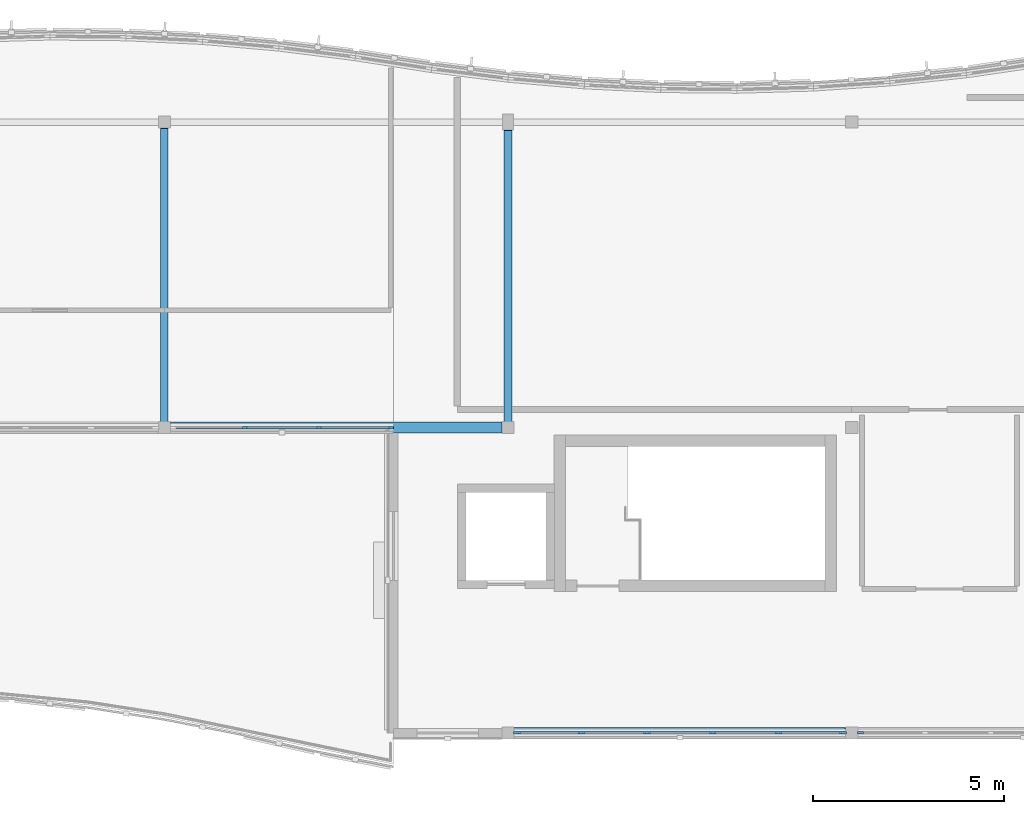
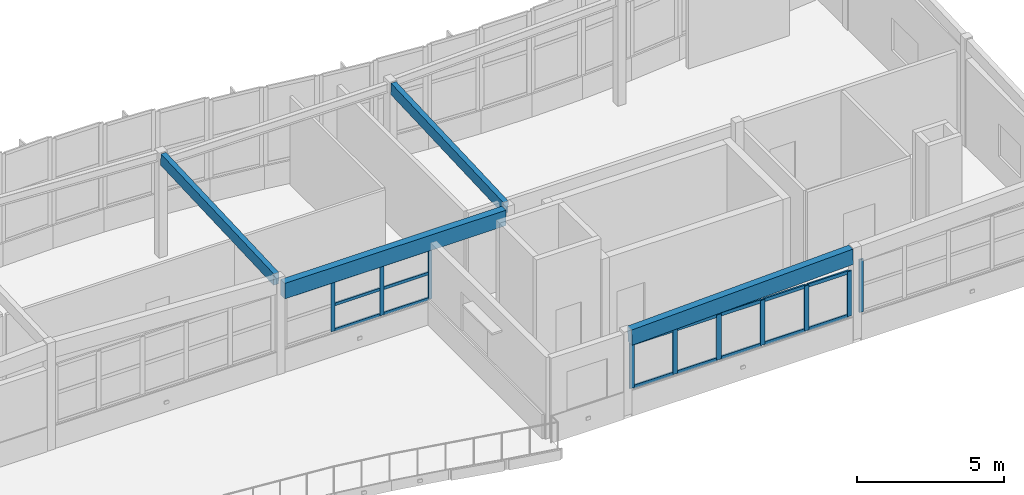
# One storey, part 6 of 20: 27 members, 4 beams, 3 elements without a shape of their own.
"""IFC4 building model written with IfcOpenShell, lengths in metres."""

from ifc_helpers import new_model, si_unit, direction, frame, origin, origin_2d, place, context, subcontext, project, spatial, rectangle, extrude, material, layer, layer_set, material_profile, profile_set, type_object, element, aggregate, save


model = new_model("IFC4")

# Units and contexts
model_context = context("Model", 3, precision=1e-05, world=origin(), true_north=direction((0.0, 1.0)))
body_context = subcontext(model_context, "Body", "Model", "MODEL_VIEW")
ifc_project = project(units=[si_unit("LENGTHUNIT", "METRE"), si_unit("AREAUNIT", "SQUARE_METRE"), si_unit("VOLUMEUNIT", "CUBIC_METRE"), si_unit("PLANEANGLEUNIT", "RADIAN"), si_unit("MASSUNIT", "GRAM", prefix="KILO")], contexts=[model_context])

# Site, building, storey
site_placement = place(None, origin())
site = spatial("IfcSite", under=ifc_project, at=site_placement, CompositionType="ELEMENT")
building_placement = place(site_placement, origin())
building = spatial("IfcBuilding", under=site, at=building_placement, Name="Tonlespit Floodbar School", CompositionType="ELEMENT")
storey_placement = place(building_placement, frame((0.0, 0.0, 20.10009765625)))
storey = spatial("IfcBuildingStorey", under=building, at=storey_placement, Name="L05", CompositionType="ELEMENT", Elevation=20.10009765625)

# Beams
ifc_material_1 = material(Name="Glulam GL28h", Category="wood")
ifc_material_profile_1 = material_profile(ifc_material_1, rectangle(XDim=0.199951171875, YDim=0.47998046875, at=origin_2d()), Name="GL 200x480")
ifc_profile_set_1 = profile_set([ifc_material_profile_1], Name="Glulam GL28h")
beam_type_1 = type_object("IfcBeamType", Name="Beam_GL_200x480", PredefinedType="BEAM", material=ifc_profile_set_1)
beam_1_placement = place(storey_placement, frame((89.0, 112.159912109375, 3.74951171875), z_axis=(0.0, 0.999069533259, 0.043128502326), x_axis=(-1.0, 0.0, 0.0)))
element("IfcBeam", 1, at=beam_1_placement, inside=storey, type_object=beam_type_1, Name="L05 girder 1357", PredefinedType="BEAM", context=body_context, shape_type="SweptSolid", body=[
    extrude(rectangle(XDim=0.199951171875, YDim=0.47998046875, at=origin_2d()), origin(), (0.0, 0.0, 1.0), 7.687255859375),
])
beam_2_placement = place(storey_placement, frame((98.0, 112.159912109375, 3.563720703125), z_axis=(0.0, 0.999069740442, 0.04312370268), x_axis=(-1.0, 0.0, 0.0)))
element("IfcBeam", 2, at=beam_2_placement, inside=storey, type_object=beam_type_1, Name="L05 girder 1358", PredefinedType="BEAM", context=body_context, shape_type="SweptSolid", body=[
    extrude(rectangle(XDim=0.199951171875, YDim=0.47998046875, at=origin_2d()), origin(), (0.0, 0.0, 1.0), 7.63720703125),
])
ifc_material_profile_2 = material_profile(ifc_material_1, rectangle(XDim=0.280029296875, YDim=0.639892578125, at=origin_2d()), Name="GL 280x640")
ifc_profile_set_2 = profile_set([ifc_material_profile_2], Name="Glulam GL28h")
beam_type_2 = type_object("IfcBeamType", Name="Beam_GL_280x640", PredefinedType="BEAM", material=ifc_profile_set_2)
beam_3_placement = place(storey_placement, frame((98.159912109375, 104.0, 3.137451171875), z_axis=(0.999327061247, 0.0, 0.036680030796), x_axis=(0.0, 1.0, 0.0)))
element("IfcBeam", 3, at=beam_3_placement, inside=storey, type_object=beam_type_2, Name="L05 girder 1338", PredefinedType="BEAM", context=body_context, shape_type="SweptSolid", body=[
    extrude(rectangle(XDim=0.280029296875, YDim=0.639892578125, at=origin_2d()), origin(), (0.0, 0.0, 1.0), 8.68603515625),
])
beam_4_placement = place(storey_placement, frame((89.159912109375, 112.0, 3.36669921875), z_axis=(1.0, 0.0, 0.0), x_axis=(0.0, 1.0, 0.0)))
element("IfcBeam", 4, at=beam_4_placement, inside=storey, type_object=beam_type_2, Name="L05 girder 1343", PredefinedType="BEAM", context=body_context, shape_type="SweptSolid", body=[
    extrude(rectangle(XDim=0.280029296875, YDim=0.639892578125, at=origin_2d()), origin(), (0.0, 0.0, 1.0), 8.68017578125),
])

# Curtain wall, member
ifc_material_2 = material(Name="Anodised Aluminium", Category="aluminium")
ifc_layer_1 = layer(ifc_material_2, 0.159912109375)
ifc_layer_set_1 = layer_set([ifc_layer_1], Name="Anodised Aluminium")
curtain_wall_type_1 = type_object("IfcCurtainWallType", Name="CurtainWall_8600x2200", PredefinedType="NOTDEFINED", material=ifc_layer_set_1)
curtain_wall_1_placement = place(storey_placement, origin())
curtain_wall_1 = element("IfcCurtainWall", 5, at=curtain_wall_1_placement, inside=storey, type_object=curtain_wall_type_1, Name="L05 unitised curtain wall 0244", PredefinedType="NOTDEFINED")
ifc_material_profile_3 = material_profile(ifc_material_2, rectangle(XDim=0.06494140625, YDim=0.14990234375, at=origin_2d()), Name="ALU M65x150")
ifc_profile_set_3 = profile_set([ifc_material_profile_3], Name="Anodised Aluminium")
member_type_1 = type_object("IfcMemberType", Name="CW_Mullion_65x150", PredefinedType="MULLION", material=ifc_profile_set_3)
member_1_placement = place(storey_placement, frame((107.232421875, 104.0, 0.949951171875), z_axis=(0.0, 0.0, 1.0), x_axis=(0.0, -1.0, 0.0)))
member_1 = element("IfcMember", 6, at=member_1_placement, type_object=member_type_1, Name="CW-28 mullion 6", PredefinedType="MULLION", context=body_context, shape_type="SweptSolid", body=[
    extrude(rectangle(XDim=0.06494140625, YDim=0.14990234375, at=origin_2d()), origin(), (0.0, 0.0, 1.0), 2.19775390625),
])
aggregate(curtain_wall_1, [member_1])

# Curtain wall, members
ifc_layer_2 = layer(ifc_material_2, 0.159912109375)
ifc_layer_set_2 = layer_set([ifc_layer_2], Name="Anodised Aluminium")
curtain_wall_type_2 = type_object("IfcCurtainWallType", Name="CurtainWall_5750x2100", PredefinedType="NOTDEFINED", material=ifc_layer_set_2)
curtain_wall_2_placement = place(storey_placement, origin())
curtain_wall_2 = element("IfcCurtainWall", 7, at=curtain_wall_2_placement, inside=storey, type_object=curtain_wall_type_2, Name="L05 unitised curtain wall 0246", PredefinedType="NOTDEFINED")
member_2_placement = place(storey_placement, frame((94.927490234375, 112.0, 0.949951171875), z_axis=(0.0, 0.0, 1.0), x_axis=(0.0, -1.0, 0.0)))
member_2 = element("IfcMember", 8, at=member_2_placement, type_object=member_type_1, Name="CW-30 mullion 1", PredefinedType="MULLION", context=body_context, shape_type="SweptSolid", body=[
    extrude(rectangle(XDim=0.06494140625, YDim=0.14990234375, at=origin_2d()), origin(), (0.0, 0.0, 1.0), 2.0966796875),
])
member_3_placement = place(storey_placement, frame((93.0400390625, 112.0, 0.949951171875), z_axis=(0.0, 0.0, 1.0), x_axis=(0.0, -1.0, 0.0)))
member_3 = element("IfcMember", 9, at=member_3_placement, type_object=member_type_1, Name="CW-30 mullion 2", PredefinedType="MULLION", context=body_context, shape_type="SweptSolid", body=[
    extrude(rectangle(XDim=0.06494140625, YDim=0.14990234375, at=origin_2d()), origin(), (0.0, 0.0, 1.0), 2.0966796875),
])
member_4_placement = place(storey_placement, frame((91.1201171875, 112.0, 0.949951171875), z_axis=(0.0, 0.0, 1.0), x_axis=(0.0, -1.0, 0.0)))
member_4 = element("IfcMember", 10, at=member_4_placement, type_object=member_type_1, Name="CW-30 mullion 3", PredefinedType="MULLION", context=body_context, shape_type="SweptSolid", body=[
    extrude(rectangle(XDim=0.06494140625, YDim=0.14990234375, at=origin_2d()), origin(), (0.0, 0.0, 1.0), 2.0966796875),
])

ifc_layer_3 = layer(ifc_material_2, 0.159912109375)
ifc_layer_set_3 = layer_set([ifc_layer_3], Name="Anodised Aluminium")
curtain_wall_type_3 = type_object("IfcCurtainWallType", Name="CurtainWall_8600x1850", PredefinedType="NOTDEFINED", material=ifc_layer_set_3)
curtain_wall_3_placement = place(storey_placement, origin())
curtain_wall_3 = element("IfcCurtainWall", 11, at=curtain_wall_3_placement, inside=storey, type_object=curtain_wall_type_3, Name="L05 unitised curtain wall 0245", PredefinedType="NOTDEFINED")
ifc_material_profile_4 = material_profile(ifc_material_2, rectangle(XDim=0.06494140625, YDim=0.179931640625, at=origin_2d()), Name="ALU M65x180")
ifc_profile_set_4 = profile_set([ifc_material_profile_4], Name="Anodised Aluminium")
member_type_2 = type_object("IfcMemberType", Name="CW_Mullion_65x180", PredefinedType="MULLION", material=ifc_profile_set_4)
member_5_placement = place(storey_placement, frame((106.767578125, 104.0, 0.949951171875), z_axis=(0.0, 0.0, 1.0), x_axis=(0.0, -1.0, 0.0)))
member_5 = element("IfcMember", 12, at=member_5_placement, type_object=member_type_2, Name="CW-29 mullion 1", PredefinedType="MULLION", context=body_context, shape_type="SweptSolid", body=[
    extrude(rectangle(XDim=0.06494140625, YDim=0.179931640625, at=origin_2d()), origin(), (0.0, 0.0, 1.0), 1.867431640625),
])
member_6_placement = place(storey_placement, frame((105.080078125, 104.0, 0.949951171875), z_axis=(0.0, 0.0, 1.0), x_axis=(0.0, -1.0, 0.0)))
member_6 = element("IfcMember", 13, at=member_6_placement, type_object=member_type_2, Name="CW-29 mullion 2", PredefinedType="MULLION", context=body_context, shape_type="SweptSolid", body=[
    extrude(rectangle(XDim=0.06494140625, YDim=0.179931640625, at=origin_2d()), origin(), (0.0, 0.0, 1.0), 1.867431640625),
])
member_7_placement = place(storey_placement, frame((103.360107421875, 104.0, 0.949951171875), z_axis=(0.0, 0.0, 1.0), x_axis=(0.0, -1.0, 0.0)))
member_7 = element("IfcMember", 14, at=member_7_placement, type_object=member_type_2, Name="CW-29 mullion 3", PredefinedType="MULLION", context=body_context, shape_type="SweptSolid", body=[
    extrude(rectangle(XDim=0.06494140625, YDim=0.179931640625, at=origin_2d()), origin(), (0.0, 0.0, 1.0), 1.867431640625),
])
member_8_placement = place(storey_placement, frame((101.639892578125, 104.0, 0.949951171875), z_axis=(0.0, 0.0, 1.0), x_axis=(0.0, -1.0, 0.0)))
member_8 = element("IfcMember", 15, at=member_8_placement, type_object=member_type_2, Name="CW-29 mullion 4", PredefinedType="MULLION", context=body_context, shape_type="SweptSolid", body=[
    extrude(rectangle(XDim=0.06494140625, YDim=0.179931640625, at=origin_2d()), origin(), (0.0, 0.0, 1.0), 1.867431640625),
])
member_9_placement = place(storey_placement, frame((99.919921875, 104.0, 0.949951171875), z_axis=(0.0, 0.0, 1.0), x_axis=(0.0, -1.0, 0.0)))
member_9 = element("IfcMember", 16, at=member_9_placement, type_object=member_type_2, Name="CW-29 mullion 5", PredefinedType="MULLION", context=body_context, shape_type="SweptSolid", body=[
    extrude(rectangle(XDim=0.06494140625, YDim=0.179931640625, at=origin_2d()), origin(), (0.0, 0.0, 1.0), 1.867431640625),
])
member_10_placement = place(storey_placement, frame((98.232421875, 104.0, 0.949951171875), z_axis=(0.0, 0.0, 1.0), x_axis=(0.0, -1.0, 0.0)))
member_10 = element("IfcMember", 17, at=member_10_placement, type_object=member_type_2, Name="CW-29 mullion 6", PredefinedType="MULLION", context=body_context, shape_type="SweptSolid", body=[
    extrude(rectangle(XDim=0.06494140625, YDim=0.179931640625, at=origin_2d()), origin(), (0.0, 0.0, 1.0), 1.867431640625),
])

# Member
ifc_material_profile_5 = material_profile(ifc_material_2, rectangle(XDim=0.06494140625, YDim=0.1201171875, at=origin_2d()), Name="ALU T65x120")
ifc_profile_set_5 = profile_set([ifc_material_profile_5], Name="Anodised Aluminium")
member_type_3 = type_object("IfcMemberType", Name="CW_Transom_65x120", PredefinedType="USERDEFINED", material=ifc_profile_set_5)
member_11_placement = place(storey_placement, frame((94.89501953125, 112.0, 0.982421875), z_axis=(-1.0, 0.0, 0.0), x_axis=(0.0, -1.0, 0.0)))
member_11 = element("IfcMember", 18, at=member_11_placement, type_object=member_type_3, Name="CW-30 transom 1.1", ObjectType="TRANSOM", PredefinedType="USERDEFINED", context=body_context, shape_type="SweptSolid", body=[
    extrude(rectangle(XDim=0.06494140625, YDim=0.1201171875, at=origin_2d()), origin(), (0.0, 0.0, 1.0), 1.822509765625),
])

member_12_placement = place(storey_placement, frame((94.89501953125, 112.0, 2.040283203125), z_axis=(-1.0, 0.0, 0.0), x_axis=(0.0, -1.0, 0.0)))
member_12 = element("IfcMember", 19, at=member_12_placement, type_object=member_type_3, Name="CW-30 transom 1.2", ObjectType="TRANSOM", PredefinedType="USERDEFINED", context=body_context, shape_type="SweptSolid", body=[
    extrude(rectangle(XDim=0.06494140625, YDim=0.1201171875, at=origin_2d()), origin(), (0.0, 0.0, 1.0), 1.822509765625),
])

member_13_placement = place(storey_placement, frame((94.89501953125, 112.0, 3.01416015625), z_axis=(-1.0, 0.0, 0.0), x_axis=(0.0, -1.0, 0.0)))
member_13 = element("IfcMember", 20, at=member_13_placement, type_object=member_type_3, Name="CW-30 transom 1.3", ObjectType="TRANSOM", PredefinedType="USERDEFINED", context=body_context, shape_type="SweptSolid", body=[
    extrude(rectangle(XDim=0.06494140625, YDim=0.1201171875, at=origin_2d()), origin(), (0.0, 0.0, 1.0), 1.822509765625),
])

member_14_placement = place(storey_placement, frame((93.007568359375, 112.0, 0.982421875), z_axis=(-1.0, 0.0, 0.0), x_axis=(0.0, -1.0, 0.0)))
member_14 = element("IfcMember", 21, at=member_14_placement, type_object=member_type_3, Name="CW-30 transom 2.1", ObjectType="TRANSOM", PredefinedType="USERDEFINED", context=body_context, shape_type="SweptSolid", body=[
    extrude(rectangle(XDim=0.06494140625, YDim=0.1201171875, at=origin_2d()), origin(), (0.0, 0.0, 1.0), 1.85498046875),
])

member_15_placement = place(storey_placement, frame((93.007568359375, 112.0, 2.040283203125), z_axis=(-1.0, 0.0, 0.0), x_axis=(0.0, -1.0, 0.0)))
member_15 = element("IfcMember", 22, at=member_15_placement, type_object=member_type_3, Name="CW-30 transom 2.2", ObjectType="TRANSOM", PredefinedType="USERDEFINED", context=body_context, shape_type="SweptSolid", body=[
    extrude(rectangle(XDim=0.06494140625, YDim=0.1201171875, at=origin_2d()), origin(), (0.0, 0.0, 1.0), 1.85498046875),
])

member_16_placement = place(storey_placement, frame((93.007568359375, 112.0, 3.01416015625), z_axis=(-1.0, 0.0, 0.0), x_axis=(0.0, -1.0, 0.0)))
member_16 = element("IfcMember", 23, at=member_16_placement, type_object=member_type_3, Name="CW-30 transom 2.3", ObjectType="TRANSOM", PredefinedType="USERDEFINED", context=body_context, shape_type="SweptSolid", body=[
    extrude(rectangle(XDim=0.06494140625, YDim=0.1201171875, at=origin_2d()), origin(), (0.0, 0.0, 1.0), 1.85498046875),
])

member_17_placement = place(storey_placement, frame((91.08740234375, 112.0, 3.01416015625), z_axis=(-1.0, 0.0, 0.0), x_axis=(0.0, -1.0, 0.0)))
member_17 = element("IfcMember", 24, at=member_17_placement, type_object=member_type_3, Name="CW-30 transom 3.3", ObjectType="TRANSOM", PredefinedType="USERDEFINED", context=body_context, shape_type="SweptSolid", body=[
    extrude(rectangle(XDim=0.06494140625, YDim=0.1201171875, at=origin_2d()), origin(), (0.0, 0.0, 1.0), 1.822509765625),
])

aggregate(curtain_wall_2, [member_2, member_3, member_4, member_11, member_12, member_13, member_14, member_15, member_16, member_17])

ifc_material_profile_6 = material_profile(ifc_material_2, rectangle(XDim=0.06494140625, YDim=0.139892578125, at=origin_2d()), Name="ALU T65x140")
ifc_profile_set_6 = profile_set([ifc_material_profile_6], Name="Anodised Aluminium")
member_type_4 = type_object("IfcMemberType", Name="CW_Transom_65x140", PredefinedType="USERDEFINED", material=ifc_profile_set_6)
member_18_placement = place(storey_placement, frame((106.735107421875, 104.0, 0.982421875), z_axis=(-1.0, 0.0, 0.0), x_axis=(0.0, -1.0, 0.0)))
member_18 = element("IfcMember", 25, at=member_18_placement, type_object=member_type_4, Name="CW-29 transom 1.1", ObjectType="TRANSOM", PredefinedType="USERDEFINED", context=body_context, shape_type="SweptSolid", body=[
    extrude(rectangle(XDim=0.06494140625, YDim=0.139892578125, at=origin_2d()), origin(), (0.0, 0.0, 1.0), 1.62255859375),
])

member_19_placement = place(storey_placement, frame((106.735107421875, 104.0, 2.784912109375), z_axis=(-1.0, 0.0, 0.0), x_axis=(0.0, -1.0, 0.0)))
member_19 = element("IfcMember", 26, at=member_19_placement, type_object=member_type_4, Name="CW-29 transom 1.2", ObjectType="TRANSOM", PredefinedType="USERDEFINED", context=body_context, shape_type="SweptSolid", body=[
    extrude(rectangle(XDim=0.06494140625, YDim=0.139892578125, at=origin_2d()), origin(), (0.0, 0.0, 1.0), 1.62255859375),
])

member_20_placement = place(storey_placement, frame((105.047607421875, 104.0, 0.982421875), z_axis=(-1.0, 0.0, 0.0), x_axis=(0.0, -1.0, 0.0)))
member_20 = element("IfcMember", 27, at=member_20_placement, type_object=member_type_4, Name="CW-29 transom 2.1", ObjectType="TRANSOM", PredefinedType="USERDEFINED", context=body_context, shape_type="SweptSolid", body=[
    extrude(rectangle(XDim=0.06494140625, YDim=0.139892578125, at=origin_2d()), origin(), (0.0, 0.0, 1.0), 1.655029296875),
])

member_21_placement = place(storey_placement, frame((105.047607421875, 104.0, 2.784912109375), z_axis=(-1.0, 0.0, 0.0), x_axis=(0.0, -1.0, 0.0)))
member_21 = element("IfcMember", 28, at=member_21_placement, type_object=member_type_4, Name="CW-29 transom 2.2", ObjectType="TRANSOM", PredefinedType="USERDEFINED", context=body_context, shape_type="SweptSolid", body=[
    extrude(rectangle(XDim=0.06494140625, YDim=0.139892578125, at=origin_2d()), origin(), (0.0, 0.0, 1.0), 1.655029296875),
])

member_22_placement = place(storey_placement, frame((103.327392578125, 104.0, 0.982421875), z_axis=(-1.0, 0.0, 0.0), x_axis=(0.0, -1.0, 0.0)))
member_22 = element("IfcMember", 29, at=member_22_placement, type_object=member_type_4, Name="CW-29 transom 3.1", ObjectType="TRANSOM", PredefinedType="USERDEFINED", context=body_context, shape_type="SweptSolid", body=[
    extrude(rectangle(XDim=0.06494140625, YDim=0.139892578125, at=origin_2d()), origin(), (0.0, 0.0, 1.0), 1.65478515625),
])

member_23_placement = place(storey_placement, frame((103.327392578125, 104.0, 2.784912109375), z_axis=(-1.0, 0.0, 0.0), x_axis=(0.0, -1.0, 0.0)))
member_23 = element("IfcMember", 30, at=member_23_placement, type_object=member_type_4, Name="CW-29 transom 3.2", ObjectType="TRANSOM", PredefinedType="USERDEFINED", context=body_context, shape_type="SweptSolid", body=[
    extrude(rectangle(XDim=0.06494140625, YDim=0.139892578125, at=origin_2d()), origin(), (0.0, 0.0, 1.0), 1.65478515625),
])

member_24_placement = place(storey_placement, frame((101.607421875, 104.0, 0.982421875), z_axis=(-1.0, 0.0, 0.0), x_axis=(0.0, -1.0, 0.0)))
member_24 = element("IfcMember", 31, at=member_24_placement, type_object=member_type_4, Name="CW-29 transom 4.1", ObjectType="TRANSOM", PredefinedType="USERDEFINED", context=body_context, shape_type="SweptSolid", body=[
    extrude(rectangle(XDim=0.06494140625, YDim=0.139892578125, at=origin_2d()), origin(), (0.0, 0.0, 1.0), 1.655029296875),
])

member_25_placement = place(storey_placement, frame((101.607421875, 104.0, 2.784912109375), z_axis=(-1.0, 0.0, 0.0), x_axis=(0.0, -1.0, 0.0)))
member_25 = element("IfcMember", 32, at=member_25_placement, type_object=member_type_4, Name="CW-29 transom 4.2", ObjectType="TRANSOM", PredefinedType="USERDEFINED", context=body_context, shape_type="SweptSolid", body=[
    extrude(rectangle(XDim=0.06494140625, YDim=0.139892578125, at=origin_2d()), origin(), (0.0, 0.0, 1.0), 1.655029296875),
])

member_26_placement = place(storey_placement, frame((99.887451171875, 104.0, 0.982421875), z_axis=(-1.0, 0.0, 0.0), x_axis=(0.0, -1.0, 0.0)))
member_26 = element("IfcMember", 33, at=member_26_placement, type_object=member_type_4, Name="CW-29 transom 5.1", ObjectType="TRANSOM", PredefinedType="USERDEFINED", context=body_context, shape_type="SweptSolid", body=[
    extrude(rectangle(XDim=0.06494140625, YDim=0.139892578125, at=origin_2d()), origin(), (0.0, 0.0, 1.0), 1.62255859375),
])

member_27_placement = place(storey_placement, frame((99.887451171875, 104.0, 2.784912109375), z_axis=(-1.0, 0.0, 0.0), x_axis=(0.0, -1.0, 0.0)))
member_27 = element("IfcMember", 34, at=member_27_placement, type_object=member_type_4, Name="CW-29 transom 5.2", ObjectType="TRANSOM", PredefinedType="USERDEFINED", context=body_context, shape_type="SweptSolid", body=[
    extrude(rectangle(XDim=0.06494140625, YDim=0.139892578125, at=origin_2d()), origin(), (0.0, 0.0, 1.0), 1.62255859375),
])

aggregate(curtain_wall_3, [member_5, member_6, member_7, member_8, member_9, member_10, member_18, member_19, member_20, member_21, member_22, member_23, member_24, member_25, member_26, member_27])

save(model, "model.ifc")
